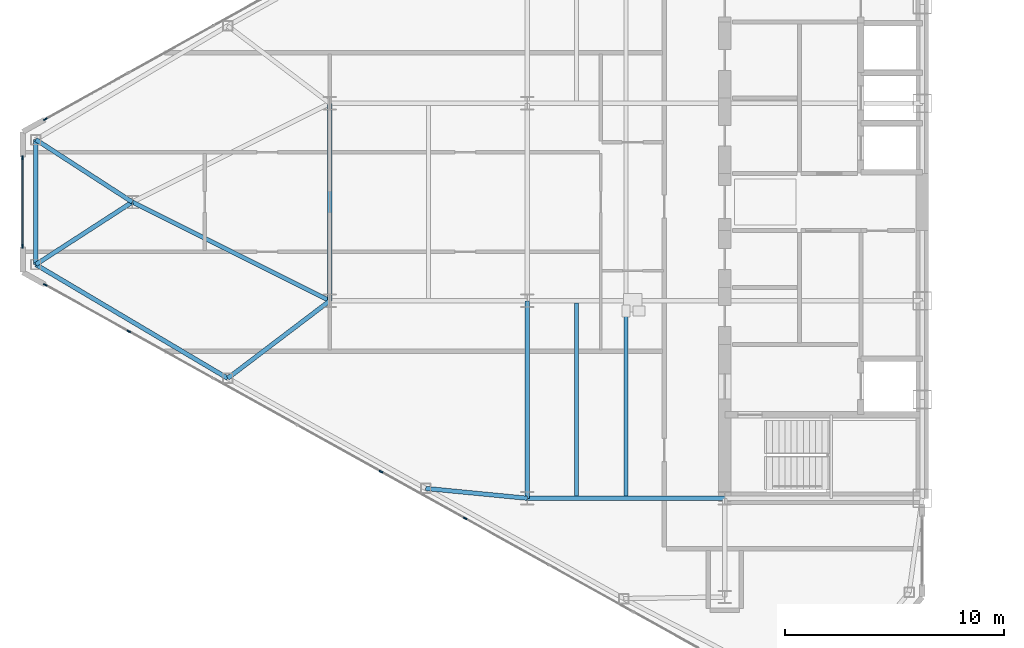
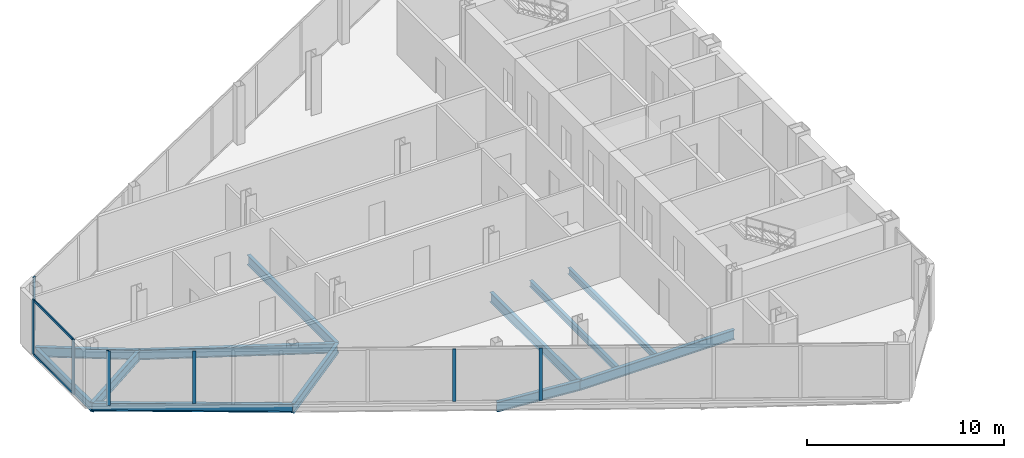
# One storey, part 5 of 26: 12 beams, 9 members, 3 elements without a shape of their own.
"""IFC4 building model written with IfcOpenShell, lengths in metres."""

from ifc_helpers import new_model, si_unit, direction, frame, origin, origin_2d, place, context, subcontext, project, spatial, rectangle, i_section, extrude, source, transform, mapped, material, layer, layer_set, material_profile, profile_set, type_object, type_shapes, element, aggregate, save


model = new_model("IFC4")

# Units and contexts
model_context = context("Model", 3, precision=1e-05, world=origin(), true_north=direction((0.0, 1.0)))
body_context = subcontext(model_context, "Body", "Model", "MODEL_VIEW")
ifc_project = project(units=[si_unit("LENGTHUNIT", "METRE"), si_unit("AREAUNIT", "SQUARE_METRE"), si_unit("VOLUMEUNIT", "CUBIC_METRE"), si_unit("PLANEANGLEUNIT", "RADIAN"), si_unit("MASSUNIT", "GRAM", prefix="KILO")], contexts=[model_context])

# Site, building, storey
site_placement = place(None, origin())
site = spatial("IfcSite", under=ifc_project, at=site_placement, CompositionType="ELEMENT")
building_placement = place(site_placement, origin())
building = spatial("IfcBuilding", under=site, at=building_placement, Name="Seokmaru Belvedere", CompositionType="ELEMENT")
storey_placement = place(building_placement, frame((0.0, 0.0, 192.300048828125)))
storey = spatial("IfcBuildingStorey", under=building, at=storey_placement, Name="L51", CompositionType="ELEMENT", Elevation=192.300048828125)

# Beams
ifc_material_1 = material(Name="Steel SM355 (355 MPa)", Category="steel")
ifc_material_profile_1 = material_profile(ifc_material_1, i_section(OverallWidth=0.199951171875, OverallDepth=0.60009765625, WebThickness=0.010986328125, FlangeThickness=0.01708984375, at=origin_2d()), Name="H-600x200x11x17")
ifc_profile_set_1 = profile_set([ifc_material_profile_1], Name="Steel SM355 (355 MPa)")
beam_type_1 = type_object("IfcBeamType", Name="Primary Floor Girder H-600", PredefinedType="BEAM", material=ifc_profile_set_1)
shared_shape_1 = source(origin(), body_context, "Body", "SweptSolid", [
    extrude(i_section(OverallWidth=0.199951171875, OverallDepth=0.60009765625, WebThickness=0.010986328125, FlangeThickness=0.01708984375, at=origin_2d()), origin(), (0.0, 0.0, 1.0), 9.0),
])
for number, where, z_axis, x_axis, name in (
    (1, (-45.5, -13.5, -0.52001953125), (0.0, 1.0, 0.0), (-1.0, 0.0, 0.0), "L51 W Interior Grid Girder 1"),
    (2, (-45.5, -13.5, -0.52001953125), (1.0, 0.0, 0.0), (0.0, 1.0, 0.0), "L51 W Wing Primary Girder 1"),
    (3, (-54.5, -4.5, -0.52001953125), (0.0, 1.0, 0.0), (-1.0, 0.0, 0.0), "L51 W Apex Frame Girder"),
):
    element("IfcBeam", number, at=place(storey_placement, frame(where, z_axis=z_axis, x_axis=x_axis)), inside=storey, type_object=beam_type_1, Name=name, PredefinedType="BEAM", context=body_context, shape_type="MappedRepresentation", body=[
        mapped(shared_shape_1, transform((0.0, 0.0, 0.0), scale=1.0)),
    ])
shared_shape_2 = source(origin(), body_context, "Body", "SweptSolid", [
    extrude(i_section(OverallWidth=0.199951171875, OverallDepth=0.60009765625, WebThickness=0.010986328125, FlangeThickness=0.01708984375, at=origin_2d()), origin(), (0.0, 0.0, 1.0), 10.062255859375),
])
beam_1_placement = place(storey_placement, frame((-54.5, -4.5, -0.52001953125), z_axis=(-0.894427191, 0.4472135955, 0.0), x_axis=(-0.4472135955, -0.894427191, 0.0)))
element("IfcBeam", 4, at=beam_1_placement, inside=storey, type_object=beam_type_1, Name="L51 W Apex Converging Girder 1", PredefinedType="BEAM", context=body_context, shape_type="MappedRepresentation", body=[
    mapped(shared_shape_2, transform((0.0, 0.0, 0.0), scale=1.0)),
])
ifc_material_profile_2 = material_profile(ifc_material_1, i_section(OverallWidth=0.18505859375, OverallDepth=0.389892578125, WebThickness=0.008056640625, FlangeThickness=0.011962890625, at=origin_2d()), Name="H-390x185x8x12")
ifc_profile_set_2 = profile_set([ifc_material_profile_2], Name="Steel SM355 (355 MPa)")
beam_type_2 = type_object("IfcBeamType", Name="Secondary Floor Joist H-350", PredefinedType="JOIST", material=ifc_profile_set_2)
shared_shape_3 = source(origin(), body_context, "Body", "SweptSolid", [
    extrude(i_section(OverallWidth=0.18505859375, OverallDepth=0.389892578125, WebThickness=0.008056640625, FlangeThickness=0.011962890625, at=origin_2d()), origin(), (0.0, 0.0, 1.0), 8.7900390625),
])
type_shapes(beam_type_2, [shared_shape_3])
for number, where, z_axis, x_axis, name in (
    (5, (-43.25, -13.39501953125, -0.4150390625), (0.0, 1.0, 0.0), (-1.0, 0.0, 0.0), "L51 W Wing Inner Secondary Joist 1"),
    (6, (-41.0, -13.39501953125, -0.4150390625), (0.0, 1.0, 0.0), (-1.0, 0.0, 0.0), "L51 W Secondary Floor Joist 1"),
):
    element("IfcBeam", number, at=place(storey_placement, frame(where, z_axis=z_axis, x_axis=x_axis)), inside=storey, type_object=beam_type_2, Name=name, PredefinedType="JOIST", context=body_context, shape_type="MappedRepresentation", body=[
        mapped(shared_shape_3, transform((0.0, 0.0, 0.0), scale=1.0)),
    ])
ifc_material_profile_3 = material_profile(ifc_material_1, i_section(OverallWidth=0.199951171875, OverallDepth=0.5, WebThickness=0.010009765625, FlangeThickness=0.01611328125, at=origin_2d()), Name="H-500x200x10x16")
ifc_profile_set_3 = profile_set([ifc_material_profile_3], Name="Steel SM355 (355 MPa)")
beam_type_3 = type_object("IfcBeamType", Name="Perimeter Spandrel Beam H-500", PredefinedType="SPANDREL", material=ifc_profile_set_3)
shared_shape_4 = source(origin(), body_context, "Body", "SweptSolid", [
    extrude(i_section(OverallWidth=0.199951171875, OverallDepth=0.5, WebThickness=0.010009765625, FlangeThickness=0.01611328125, at=origin_2d()), origin(), (0.0, 0.0, 1.0), 10.16650390625),
])
beam_2_placement = place(storey_placement, frame((-59.154541015625, -8.031494140625, -0.469970703125), z_axis=(-0.860209996506, 0.509939959124, 0.0), x_axis=(-0.509939959124, -0.860209996506, 0.0)))
element("IfcBeam", 7, at=beam_2_placement, inside=storey, type_object=beam_type_3, Name="L51 W Faceted Flank Spandrel S-4", PredefinedType="SPANDREL", context=body_context, shape_type="MappedRepresentation", body=[
    mapped(shared_shape_4, transform((0.0, 0.0, 0.0), scale=1.0)),
])
shared_shape_5 = source(origin(), body_context, "Body", "SweptSolid", [
    extrude(i_section(OverallWidth=0.199951171875, OverallDepth=0.5, WebThickness=0.010009765625, FlangeThickness=0.01611328125, at=origin_2d()), origin(), (0.0, 0.0, 1.0), 5.6943359375),
])
type_shapes(beam_type_3, [shared_shape_4, shared_shape_5])
beam_3_placement = place(storey_placement, frame((-67.89990234375, -2.84716796875, -0.469970703125), z_axis=(0.0, 1.0, 0.0), x_axis=(-1.0, 0.0, 0.0)))
element("IfcBeam", 8, at=beam_3_placement, inside=storey, type_object=beam_type_3, Name="L51 W Faceted Apex Spandrel", PredefinedType="SPANDREL", context=body_context, shape_type="MappedRepresentation", body=[
    mapped(shared_shape_5, transform((0.0, 0.0, 0.0), scale=1.0)),
])
shared_shape_6 = source(origin(), body_context, "Body", "SweptSolid", [
    extrude(i_section(OverallWidth=0.199951171875, OverallDepth=0.60009765625, WebThickness=0.010986328125, FlangeThickness=0.01708984375, at=origin_2d()), origin(), (0.0, 0.0, 1.0), 4.65087890625),
])
beam_4_placement = place(storey_placement, frame((-50.129150390625, -13.051025390625, -0.52001953125), z_axis=(0.995329534874, -0.09653557379, 0.0), x_axis=(0.09653557379, 0.995329534874, 0.0)))
element("IfcBeam", 9, at=beam_4_placement, inside=storey, type_object=beam_type_1, Name="L51 W Flank Radial Floor Girder S-2", PredefinedType="BEAM", context=body_context, shape_type="MappedRepresentation", body=[
    mapped(shared_shape_6, transform((0.0, 0.0, 0.0), scale=1.0)),
])
shared_shape_7 = source(origin(), body_context, "Body", "SweptSolid", [
    extrude(i_section(OverallWidth=0.199951171875, OverallDepth=0.60009765625, WebThickness=0.010986328125, FlangeThickness=0.01708984375, at=origin_2d()), origin(), (0.0, 0.0, 1.0), 5.842529296875),
])
beam_5_placement = place(storey_placement, frame((-59.154541015625, -8.031494140625, -0.52001953125), z_axis=(0.796653109879, 0.604436781243, 0.0), x_axis=(-0.604436781243, 0.796653109879, 0.0)))
element("IfcBeam", 10, at=beam_5_placement, inside=storey, type_object=beam_type_1, Name="L51 W Flank Radial Floor Girder S-3", PredefinedType="BEAM", context=body_context, shape_type="MappedRepresentation", body=[
    mapped(shared_shape_7, transform((0.0, 0.0, 0.0), scale=1.0)),
])
shared_shape_8 = source(origin(), body_context, "Body", "SweptSolid", [
    extrude(i_section(OverallWidth=0.199951171875, OverallDepth=0.60009765625, WebThickness=0.010986328125, FlangeThickness=0.01708984375, at=origin_2d()), origin(), (0.0, 0.0, 1.0), 5.24072265625),
])
type_shapes(beam_type_1, [shared_shape_1, shared_shape_2, shared_shape_6, shared_shape_7, shared_shape_8])
for number, where, z_axis, x_axis, name in (
    (11, (-67.89990234375, -2.84716796875, -0.52001953125), (0.839555158729, 0.543274456836, 0.0), (-0.543274456836, 0.839555158729, 0.0), "L51 W Apex Radial Floor Girder 1"),
    (12, (-67.89990234375, 2.84716796875, -0.52001953125), (0.839555158729, -0.543274456836, 0.0), (0.543274456836, 0.839555158729, 0.0), "L51 W Apex Radial Floor Girder 2"),
):
    element("IfcBeam", number, at=place(storey_placement, frame(where, z_axis=z_axis, x_axis=x_axis)), inside=storey, type_object=beam_type_1, Name=name, PredefinedType="BEAM", context=body_context, shape_type="MappedRepresentation", body=[
        mapped(shared_shape_8, transform((0.0, 0.0, 0.0), scale=1.0)),
    ])

# Curtain wall, members
ifc_material_2 = material(Name="Bronze Triple Insulating Glass", Category="glass")
ifc_layer = layer(ifc_material_2, 0.179931640625)
ifc_layer_set = layer_set([ifc_layer], Name="Bronze Triple Insulating Glass")
curtain_wall_type = type_object("IfcCurtainWallType", Name="High-Rise Wind-Corner Curtain Wall System CW-5", PredefinedType="NOTDEFINED", material=ifc_layer_set)
curtain_wall_1_placement = place(storey_placement, origin())
curtain_wall_1 = element("IfcCurtainWall", 13, at=curtain_wall_1_placement, inside=storey, type_object=curtain_wall_type, Name="L51 Curtain Wall WF4", PredefinedType="NOTDEFINED")
ifc_material_3 = material(Name="Anodised Bronze Aluminium", Category="aluminium")
ifc_material_profile_4 = material_profile(ifc_material_3, rectangle(XDim=0.06494140625, YDim=0.14990234375, at=origin_2d()), Name="CW-T-65x150")
ifc_profile_set_4 = profile_set([ifc_material_profile_4], Name="Anodised Bronze Aluminium")
member_type_1 = type_object("IfcMemberType", Name="Bronze Unitised Transom 65x150", PredefinedType="USERDEFINED", material=ifc_profile_set_4)
shared_shape_9 = source(origin(), body_context, "Body", "SweptSolid", [
    extrude(rectangle(XDim=0.06494140625, YDim=0.14990234375, at=origin_2d()), origin(), (0.0, 0.0, 1.0), 3.97021484375),
])
type_shapes(member_type_1, [shared_shape_9])
member_1_placement = place(storey_placement, frame((-68.5, 1.985107421875, 0.032470703125), z_axis=(0.0, -1.0, 0.0), x_axis=(1.0, 0.0, 0.0)))
member_1 = element("IfcMember", 14, at=member_1_placement, type_object=member_type_1, Name="CW:L51:WF4 Continuous Transom 1", ObjectType="TRANSOM", PredefinedType="USERDEFINED", context=body_context, shape_type="MappedRepresentation", body=[
    mapped(shared_shape_9, transform((0.0, 0.0, 0.0), scale=1.0)),
])
member_2_placement = place(storey_placement, frame((-68.5, 1.985107421875, 3.347412109375), z_axis=(0.0, -1.0, 0.0), x_axis=(1.0, 0.0, 0.0)))
member_2 = element("IfcMember", 15, at=member_2_placement, type_object=member_type_1, Name="CW:L51:WF4 Continuous Transom 2", ObjectType="TRANSOM", PredefinedType="USERDEFINED", context=body_context, shape_type="MappedRepresentation", body=[
    mapped(shared_shape_9, transform((0.0, 0.0, 0.0), scale=1.0)),
])

# Curtain wall, member
curtain_wall_2_placement = place(storey_placement, origin())
curtain_wall_2 = element("IfcCurtainWall", 16, at=curtain_wall_2_placement, inside=storey, type_object=curtain_wall_type, Name="L51 Curtain Wall WF3", PredefinedType="NOTDEFINED")
ifc_material_profile_5 = material_profile(ifc_material_3, rectangle(XDim=0.06494140625, YDim=0.179931640625, at=origin_2d()), Name="CW-M-65x180")
ifc_profile_set_5 = profile_set([ifc_material_profile_5], Name="Anodised Bronze Aluminium")
member_type_2 = type_object("IfcMemberType", Name="Bronze Unitised Mullion 65x180", PredefinedType="MULLION", material=ifc_profile_set_5)
shared_shape_10 = source(origin(), body_context, "Body", "SweptSolid", [
    extrude(rectangle(XDim=0.06494140625, YDim=0.179931640625, at=origin_2d()), origin(), (0.0, 0.0, 1.0), 3.3798828125),
])
member_3_placement = place(storey_placement, frame((-67.466552734375, 3.77490234375, 0.0), z_axis=(0.0, 0.0, 1.0), x_axis=(0.486047125147, -0.873932601598, 0.0)))
member_3 = element("IfcMember", 17, at=member_3_placement, type_object=member_type_2, Name="CW:L51:WF3 Mullion 10", PredefinedType="MULLION", context=body_context, shape_type="MappedRepresentation", body=[
    mapped(shared_shape_10, transform((0.0, 0.0, 0.0), scale=1.0)),
])
aggregate(curtain_wall_2, [member_3])

# Member
member_4_placement = place(storey_placement, frame((-68.5, 2.017578125, 0.0), z_axis=(0.0, 0.0, 1.0), x_axis=(1.0, 0.0, 0.0)))
member_4 = element("IfcMember", 18, at=member_4_placement, type_object=member_type_2, Name="CW:L51:WF4 Mullion 1", PredefinedType="MULLION", context=body_context, shape_type="MappedRepresentation", body=[
    mapped(shared_shape_10, transform((0.0, 0.0, 0.0), scale=1.0)),
])

member_5_placement = place(storey_placement, frame((-68.5, -2.017578125, 0.0), z_axis=(0.0, 0.0, 1.0), x_axis=(1.0, 0.0, 0.0)))
member_5 = element("IfcMember", 19, at=member_5_placement, type_object=member_type_2, Name="CW:L51:WF4 Mullion 2", PredefinedType="MULLION", context=body_context, shape_type="MappedRepresentation", body=[
    mapped(shared_shape_10, transform((0.0, 0.0, 0.0), scale=1.0)),
])

aggregate(curtain_wall_1, [member_4, member_5, member_1, member_2])

# Curtain wall, members
curtain_wall_3_placement = place(storey_placement, origin())
curtain_wall_3 = element("IfcCurtainWall", 20, at=curtain_wall_3_placement, inside=storey, type_object=curtain_wall_type, Name="L51 Curtain Wall WF5", PredefinedType="NOTDEFINED")
member_6_placement = place(storey_placement, frame((-67.466552734375, -3.77490234375, 0.0), z_axis=(0.0, 0.0, 1.0), x_axis=(0.486047125147, 0.873932601598, 0.0)))
member_6 = element("IfcMember", 21, at=member_6_placement, type_object=member_type_2, Name="CW:L51:WF5 Mullion 1", PredefinedType="MULLION", context=body_context, shape_type="MappedRepresentation", body=[
    mapped(shared_shape_10, transform((0.0, 0.0, 0.0), scale=1.0)),
])
shared_shape_11 = source(origin(), body_context, "Body", "SweptSolid", [
    extrude(rectangle(XDim=0.06494140625, YDim=0.179931640625, at=origin_2d()), origin(), (0.0, 0.0, 1.0), 3.25),
])
type_shapes(member_type_2, [shared_shape_10, shared_shape_11])
member_7_placement = place(storey_placement, frame((-63.662841796875, -5.890380859375, 0.06494140625), z_axis=(0.0, 0.0, 1.0), x_axis=(0.486047125147, 0.873932601598, 0.0)))
member_7 = element("IfcMember", 22, at=member_7_placement, type_object=member_type_2, Name="CW:L51:WF5 Mullion 2", PredefinedType="MULLION", context=body_context, shape_type="MappedRepresentation", body=[
    mapped(shared_shape_11, transform((0.0, 0.0, 0.0), scale=1.0)),
])
member_8_placement = place(storey_placement, frame((-52.166015625, -12.2841796875, 0.06494140625), z_axis=(0.0, 0.0, 1.0), x_axis=(0.486047125147, 0.873932601598, 0.0)))
member_8 = element("IfcMember", 23, at=member_8_placement, type_object=member_type_2, Name="CW:L51:WF5 Mullion 5", PredefinedType="MULLION", context=body_context, shape_type="MappedRepresentation", body=[
    mapped(shared_shape_11, transform((0.0, 0.0, 0.0), scale=1.0)),
])
member_9_placement = place(storey_placement, frame((-48.333984375, -14.415771484375, 0.06494140625), z_axis=(0.0, 0.0, 1.0), x_axis=(0.486047125147, 0.873932601598, 0.0)))
member_9 = element("IfcMember", 24, at=member_9_placement, type_object=member_type_2, Name="CW:L51:WF5 Mullion 6", PredefinedType="MULLION", context=body_context, shape_type="MappedRepresentation", body=[
    mapped(shared_shape_11, transform((0.0, 0.0, 0.0), scale=1.0)),
])
aggregate(curtain_wall_3, [member_6, member_7, member_8, member_9])

save(model, "model.ifc")
